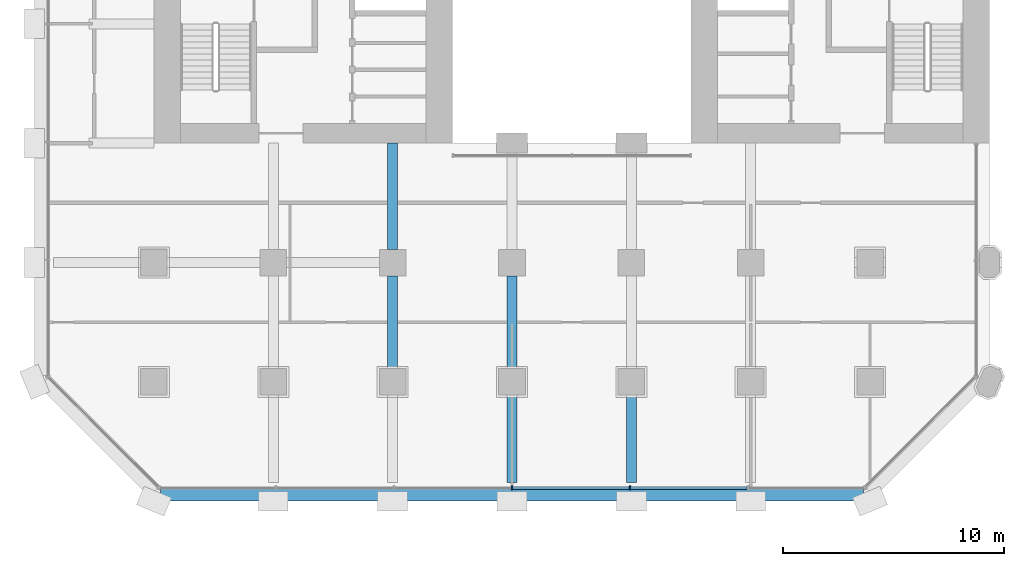
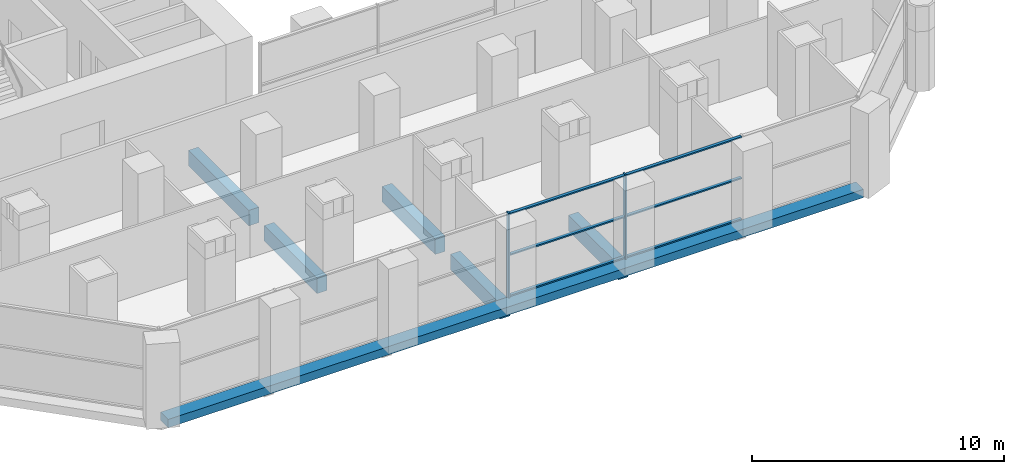
# One storey, part 3 of 23: 8 members, 6 beams, 1 element without a shape of its own.
"""IFC4 building model written with IfcOpenShell, lengths in metres."""

from ifc_helpers import new_model, si_unit, direction, frame, origin, origin_2d, place, context, subcontext, project, spatial, rectangle, extrude, material, material_profile, profile_set, type_object, element, aggregate, save


model = new_model("IFC4")

# Units and contexts
model_context = context("Model", 3, precision=1e-05, world=origin(), true_north=direction((0.0, 1.0)))
body_context = subcontext(model_context, "Body", "Model", "MODEL_VIEW")
ifc_project = project(units=[si_unit("LENGTHUNIT", "METRE"), si_unit("AREAUNIT", "SQUARE_METRE"), si_unit("VOLUMEUNIT", "CUBIC_METRE"), si_unit("PLANEANGLEUNIT", "RADIAN"), si_unit("MASSUNIT", "GRAM", prefix="KILO")], contexts=[model_context])

# Site, building, storey
site_placement = place(None, origin())
site = spatial("IfcSite", under=ifc_project, at=site_placement, CompositionType="ELEMENT")
building_placement = place(site_placement, origin())
building = spatial("IfcBuilding", under=site, at=building_placement, Name="Tabaq Tower and Sports Hall", CompositionType="ELEMENT")
storey_placement = place(building_placement, frame((0.0, 0.0, 24.60009765625)))
storey = spatial("IfcBuildingStorey", under=building, at=storey_placement, Name="L04", CompositionType="ELEMENT", Elevation=24.60009765625)

# Curtain wall, members
ifc_material_1 = material(Name="Aluminium alloy 6063-T6 framed glazing", Category="aluminium")
curtain_wall_type = type_object("IfcCurtainWallType", Name="CW7 curtain wall", PredefinedType="USERDEFINED", material=ifc_material_1)
curtain_wall_placement = place(storey_placement, origin())
curtain_wall = element("IfcCurtainWall", 1, at=curtain_wall_placement, inside=storey, type_object=curtain_wall_type, Name="Podium Wall L04 S", ObjectType="PODIUM WALL", PredefinedType="USERDEFINED")
ifc_material_2 = material(Name="Aluminium alloy 6063-T6", Category="aluminium")
ifc_material_profile_1 = material_profile(ifc_material_2, rectangle(XDim=0.179931640625, YDim=0.06494140625, at=origin_2d()), Name="MULLION 180x65")
ifc_profile_set_1 = profile_set([ifc_material_profile_1], Name="Aluminium alloy 6063-T6")
member_type_1 = type_object("IfcMemberType", Name="CW7 mullion 180x65", PredefinedType="MULLION", material=ifc_profile_set_1)
member_1_placement = place(storey_placement, frame((21.60009765625, 0.60009765625, 0.0), z_axis=(0.0, 0.0, 1.0), x_axis=(0.0, 1.0, 0.0)))
member_1 = element("IfcMember", 2, at=member_1_placement, type_object=member_type_1, Name="CW7 mullion 4", PredefinedType="MULLION", context=body_context, shape_type="SweptSolid", body=[
    extrude(rectangle(XDim=0.179931640625, YDim=0.06494140625, at=origin_2d()), origin(), (0.0, 0.0, 1.0), 4.099853515625),
])
member_2_placement = place(storey_placement, frame((26.93798828125, 0.60009765625, 0.0), z_axis=(0.0, 0.0, 1.0), x_axis=(0.0, 1.0, 0.0)))
member_2 = element("IfcMember", 3, at=member_2_placement, type_object=member_type_1, Name="CW7 mullion 5", PredefinedType="MULLION", context=body_context, shape_type="SweptSolid", body=[
    extrude(rectangle(XDim=0.179931640625, YDim=0.06494140625, at=origin_2d()), origin(), (0.0, 0.0, 1.0), 4.099853515625),
])
ifc_material_3 = material(Name="Aluminium alloy 6063-T6", Category="aluminium")
ifc_material_profile_2 = material_profile(ifc_material_3, rectangle(XDim=0.139892578125, YDim=0.06494140625, at=origin_2d()), Name="TRANSOM 140x65")
ifc_profile_set_2 = profile_set([ifc_material_profile_2], Name="Aluminium alloy 6063-T6")
member_type_2 = type_object("IfcMemberType", Name="CW7 transom 140x65", PredefinedType="USERDEFINED", material=ifc_profile_set_2)
member_3_placement = place(storey_placement, frame((21.632568359375, 0.60009765625, 0.06982421875), z_axis=(1.0, 0.0, 0.0), x_axis=(0.0, 1.0, 0.0)))
member_3 = element("IfcMember", 4, at=member_3_placement, type_object=member_type_2, Name="CW7 transom 4.1", ObjectType="TRANSOM", PredefinedType="USERDEFINED", context=body_context, shape_type="SweptSolid", body=[
    extrude(rectangle(XDim=0.139892578125, YDim=0.06494140625, at=origin_2d()), origin(), (0.0, 0.0, 1.0), 5.272705078125),
])
member_4_placement = place(storey_placement, frame((21.632568359375, 0.60009765625, 2.0498046875), z_axis=(1.0, 0.0, 0.0), x_axis=(0.0, 1.0, 0.0)))
member_4 = element("IfcMember", 5, at=member_4_placement, type_object=member_type_2, Name="CW7 transom 4.2", ObjectType="TRANSOM", PredefinedType="USERDEFINED", context=body_context, shape_type="SweptSolid", body=[
    extrude(rectangle(XDim=0.139892578125, YDim=0.06494140625, at=origin_2d()), origin(), (0.0, 0.0, 1.0), 5.272705078125),
])
member_5_placement = place(storey_placement, frame((21.632568359375, 0.60009765625, 4.02978515625), z_axis=(1.0, 0.0, 0.0), x_axis=(0.0, 1.0, 0.0)))
member_5 = element("IfcMember", 6, at=member_5_placement, type_object=member_type_2, Name="CW7 transom 4.3", ObjectType="TRANSOM", PredefinedType="USERDEFINED", context=body_context, shape_type="SweptSolid", body=[
    extrude(rectangle(XDim=0.139892578125, YDim=0.06494140625, at=origin_2d()), origin(), (0.0, 0.0, 1.0), 5.272705078125),
])
member_6_placement = place(storey_placement, frame((26.970458984375, 0.60009765625, 0.06982421875), z_axis=(1.0, 0.0, 0.0), x_axis=(0.0, 1.0, 0.0)))
member_6 = element("IfcMember", 7, at=member_6_placement, type_object=member_type_2, Name="CW7 transom 5.1", ObjectType="TRANSOM", PredefinedType="USERDEFINED", context=body_context, shape_type="SweptSolid", body=[
    extrude(rectangle(XDim=0.139892578125, YDim=0.06494140625, at=origin_2d()), origin(), (0.0, 0.0, 1.0), 5.272705078125),
])
member_7_placement = place(storey_placement, frame((26.970458984375, 0.60009765625, 2.0498046875), z_axis=(1.0, 0.0, 0.0), x_axis=(0.0, 1.0, 0.0)))
member_7 = element("IfcMember", 8, at=member_7_placement, type_object=member_type_2, Name="CW7 transom 5.2", ObjectType="TRANSOM", PredefinedType="USERDEFINED", context=body_context, shape_type="SweptSolid", body=[
    extrude(rectangle(XDim=0.139892578125, YDim=0.06494140625, at=origin_2d()), origin(), (0.0, 0.0, 1.0), 5.272705078125),
])
member_8_placement = place(storey_placement, frame((26.970458984375, 0.60009765625, 4.02978515625), z_axis=(1.0, 0.0, 0.0), x_axis=(0.0, 1.0, 0.0)))
member_8 = element("IfcMember", 9, at=member_8_placement, type_object=member_type_2, Name="CW7 transom 5.3", ObjectType="TRANSOM", PredefinedType="USERDEFINED", context=body_context, shape_type="SweptSolid", body=[
    extrude(rectangle(XDim=0.139892578125, YDim=0.06494140625, at=origin_2d()), origin(), (0.0, 0.0, 1.0), 5.272705078125),
])
aggregate(curtain_wall, [member_1, member_2, member_3, member_4, member_5, member_6, member_7, member_8])

# Beams
ifc_material_4 = material(Name="Concrete C40/50", Category="concrete")
ifc_material_profile_3 = material_profile(ifc_material_4, rectangle(XDim=0.449951171875, YDim=0.75, at=origin_2d()), Name="CB 450x750")
ifc_profile_set_3 = profile_set([ifc_material_profile_3], Name="Concrete C40/50")
beam_type_1 = type_object("IfcBeamType", Name="PT CANTILEVER BEAM CB 450x750 C40/50", PredefinedType="BEAM", material=ifc_profile_set_3)
beam_1_placement = place(storey_placement, frame((16.199951171875, 6.0, -0.775146484375), z_axis=(0.0, 1.0, 0.0), x_axis=(-1.0, 0.0, 0.0)))
element("IfcBeam", 10, at=beam_1_placement, inside=storey, type_object=beam_type_1, Name="Cantilever Beam L04 S3 span 2", PredefinedType="BEAM", context=body_context, shape_type="SweptSolid", body=[
    extrude(rectangle(XDim=0.449951171875, YDim=0.75, at=origin_2d()), origin(), (0.0, 0.0, 1.0), 4.199951171875),
])
beam_2_placement = place(storey_placement, frame((16.199951171875, 11.39990234375, -0.775146484375), z_axis=(0.0, 1.0, 0.0), x_axis=(-1.0, 0.0, 0.0)))
element("IfcBeam", 11, at=beam_2_placement, inside=storey, type_object=beam_type_1, Name="Cantilever Beam L04 S3 span 3", PredefinedType="BEAM", context=body_context, shape_type="SweptSolid", body=[
    extrude(rectangle(XDim=0.449951171875, YDim=0.75, at=origin_2d()), origin(), (0.0, 0.0, 1.0), 4.800048828125),
])
beam_3_placement = place(storey_placement, frame((21.60009765625, 0.85009765625, -0.775146484375), z_axis=(0.0, 1.0, 0.0), x_axis=(-1.0, 0.0, 0.0)))
element("IfcBeam", 12, at=beam_3_placement, inside=storey, type_object=beam_type_1, Name="Cantilever Beam L04 S4 span 1", PredefinedType="BEAM", context=body_context, shape_type="SweptSolid", body=[
    extrude(rectangle(XDim=0.449951171875, YDim=0.75, at=origin_2d()), origin(), (0.0, 0.0, 1.0), 3.949951171875),
])
beam_4_placement = place(storey_placement, frame((21.60009765625, 6.0, -0.775146484375), z_axis=(0.0, 1.0, 0.0), x_axis=(-1.0, 0.0, 0.0)))
element("IfcBeam", 13, at=beam_4_placement, inside=storey, type_object=beam_type_1, Name="Cantilever Beam L04 S4 span 2", PredefinedType="BEAM", context=body_context, shape_type="SweptSolid", body=[
    extrude(rectangle(XDim=0.449951171875, YDim=0.75, at=origin_2d()), origin(), (0.0, 0.0, 1.0), 4.199951171875),
])
beam_5_placement = place(storey_placement, frame((27.0, 0.85009765625, -0.775146484375), z_axis=(0.0, 1.0, 0.0), x_axis=(-1.0, 0.0, 0.0)))
element("IfcBeam", 14, at=beam_5_placement, inside=storey, type_object=beam_type_1, Name="Cantilever Beam L04 S5 span 1", PredefinedType="BEAM", context=body_context, shape_type="SweptSolid", body=[
    extrude(rectangle(XDim=0.449951171875, YDim=0.75, at=origin_2d()), origin(), (0.0, 0.0, 1.0), 3.949951171875),
])
ifc_material_5 = material(Name="Concrete C40/50", Category="concrete")
ifc_material_profile_4 = material_profile(ifc_material_5, rectangle(XDim=0.60009765625, YDim=0.39990234375, at=origin_2d()), Name="EB 600x400")
ifc_profile_set_4 = profile_set([ifc_material_profile_4], Name="Concrete C40/50")
beam_type_2 = type_object("IfcBeamType", Name="PT EDGE BEAM EB 600x400 C40/50", PredefinedType="SPANDREL", material=ifc_profile_set_4)
beam_6_placement = place(storey_placement, frame((5.698486328125, 0.300048828125, -0.2001953125), z_axis=(1.0, 0.0, 0.0), x_axis=(0.0, 1.0, 0.0)))
element("IfcBeam", 15, at=beam_6_placement, inside=storey, type_object=beam_type_2, Name="Edge Beam L04 1", PredefinedType="SPANDREL", context=body_context, shape_type="SweptSolid", body=[
    extrude(rectangle(XDim=0.60009765625, YDim=0.39990234375, at=origin_2d()), origin(), (0.0, 0.0, 1.0), 31.802978515625),
])

save(model, "model.ifc")
